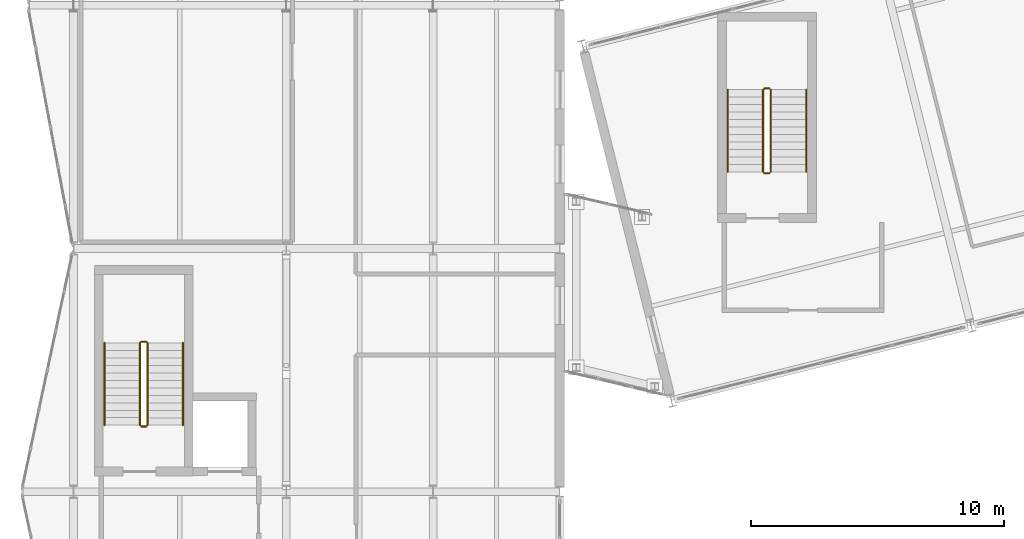
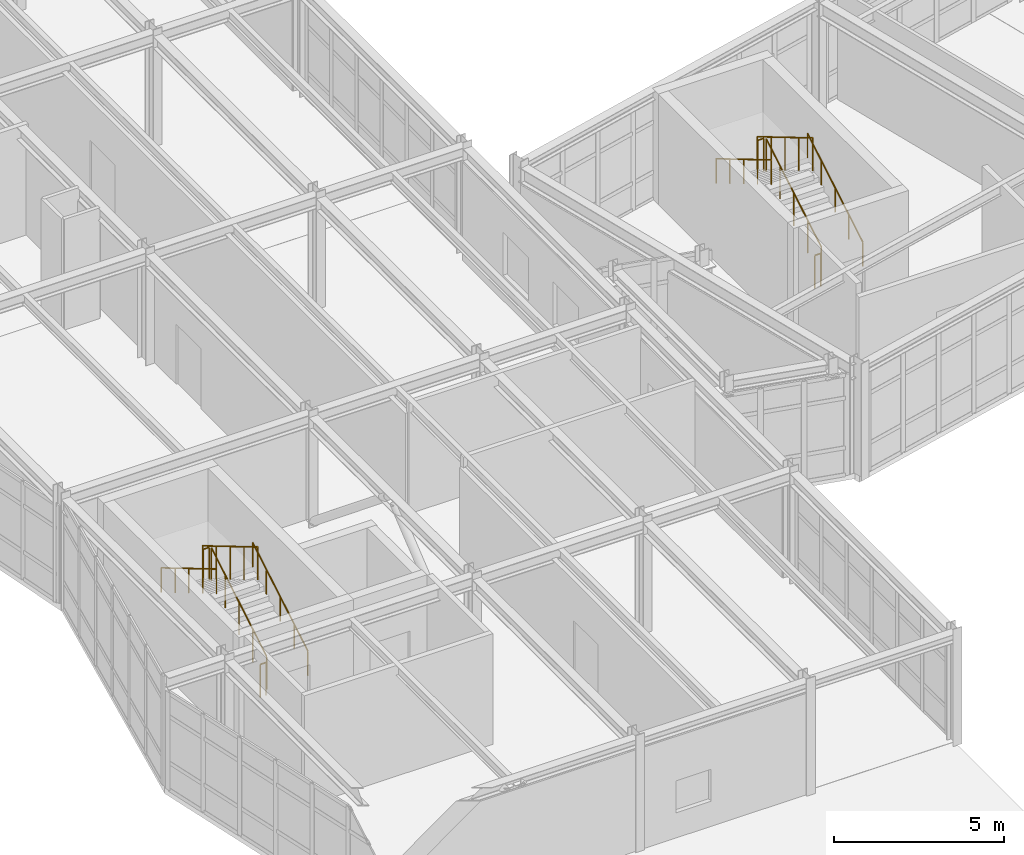
# One storey, part 81 of 88: 12 railings.
"""IFC4 building model written with IfcOpenShell, lengths in metres."""

from ifc_helpers import new_model, si_unit, direction, frame, origin, origin_2d, place, context, subcontext, project, spatial, circle, extrude, material, layer, layer_set, type_object, element, save


model = new_model("IFC4")

# Units and contexts
model_context = context("Model", 3, precision=1e-05, world=origin(), true_north=direction((0.0, 1.0)))
body_context = subcontext(model_context, "Body", "Model", "MODEL_VIEW")
ifc_project = project(units=[si_unit("LENGTHUNIT", "METRE"), si_unit("AREAUNIT", "SQUARE_METRE"), si_unit("VOLUMEUNIT", "CUBIC_METRE"), si_unit("PLANEANGLEUNIT", "RADIAN"), si_unit("MASSUNIT", "GRAM", prefix="KILO")], contexts=[model_context])

# Site, building, storey
site_placement = place(None, origin())
site = spatial("IfcSite", under=ifc_project, at=site_placement, CompositionType="ELEMENT")
building_placement = place(site_placement, origin())
building = spatial("IfcBuilding", under=site, at=building_placement, Name="Nordkorset Police Headquarters", CompositionType="ELEMENT")
storey_placement = place(building_placement, frame((0.0, 0.0, 9.449951171875)))
storey = spatial("IfcBuildingStorey", under=building, at=storey_placement, Name="L02", CompositionType="ELEMENT", Elevation=9.449951171875)

# Railings
ifc_material_1 = material(Name="Steel S355J2", Category="steel")
ifc_layer_1 = layer(ifc_material_1, 0.048095703125, Name="Steel S355J2")
ifc_layer_set_1 = layer_set([ifc_layer_1], Name="Steel S355J2")
railing_type_1 = type_object("IfcRailingType", Name="Railing_Handrail_900", PredefinedType="HANDRAIL", material=ifc_layer_set_1)
railing_1_placement = place(storey_placement, frame((4.324951171875, 41.02490234375, 0.175048828125)))
element("IfcRailing", 1, at=railing_1_placement, inside=storey, type_object=railing_type_1, Name="L02 ST-04 stair handrail 1", PredefinedType="HANDRAIL", context=body_context, shape_type="SweptSolid", body=[
    extrude(circle(Radius=0.02392578125, at=origin_2d()), frame((0.0, 0.0, 0.8759765625), z_axis=(0.0, 0.860057060016, 0.510197857224), x_axis=(-1.0, 0.0, 0.0)), (0.0, 0.0, 1.0), 3.773193359375),
    extrude(circle(Radius=0.02099609375, at=origin_2d()), origin(), (0.0, 0.0, 1.0), 0.851806640625),
    extrude(circle(Radius=0.02099609375, at=origin_2d()), frame((0.0, 0.811279296875, 0.481201171875)), (0.0, 0.0, 1.0), 0.851806640625),
    extrude(circle(Radius=0.02099609375, at=origin_2d()), frame((0.0, 1.62255859375, 0.96240234375)), (0.0, 0.0, 1.0), 0.851806640625),
    extrude(circle(Radius=0.02099609375, at=origin_2d()), frame((0.0, 2.433837890625, 1.44384765625)), (0.0, 0.0, 1.0), 0.851806640625),
    extrude(circle(Radius=0.02099609375, at=origin_2d()), frame((0.0, 3.2451171875, 1.925048828125)), (0.0, 0.0, 1.0), 0.851806640625),
])
railing_2_placement = place(storey_placement, frame((1.22509765625, 44.27001953125, 2.275146484375)))
element("IfcRailing", 2, at=railing_2_placement, inside=storey, type_object=railing_type_1, Name="L02 ST-04 stair handrail 2", PredefinedType="HANDRAIL", context=body_context, shape_type="SweptSolid", body=[
    extrude(circle(Radius=0.02392578125, at=origin_2d()), frame((0.0, 0.0, 0.8759765625), z_axis=(0.0, -0.860085452069, 0.510149992786), x_axis=(1.0, 0.0, 0.0)), (0.0, 0.0, 1.0), 3.77294921875),
    extrude(circle(Radius=0.02099609375, at=origin_2d()), origin(), (0.0, 0.0, 1.0), 0.851806640625),
    extrude(circle(Radius=0.02099609375, at=origin_2d()), frame((0.0, -0.811279296875, 0.481201171875)), (0.0, 0.0, 1.0), 0.851806640625),
    extrude(circle(Radius=0.02099609375, at=origin_2d()), frame((0.0, -1.62255859375, 0.96240234375)), (0.0, 0.0, 1.0), 0.851806640625),
    extrude(circle(Radius=0.02099609375, at=origin_2d()), frame((0.0, -2.433837890625, 1.443603515625)), (0.0, 0.0, 1.0), 0.851806640625),
    extrude(circle(Radius=0.02099609375, at=origin_2d()), frame((0.0, -3.2451171875, 1.9248046875)), (0.0, 0.0, 1.0), 0.851806640625),
])
railing_3_placement = place(storey_placement, frame((28.925048828125, 51.02490234375, 0.175048828125)))
element("IfcRailing", 3, at=railing_3_placement, inside=storey, type_object=railing_type_1, Name="L02 ST-08 stair handrail 1", PredefinedType="HANDRAIL", context=body_context, shape_type="SweptSolid", body=[
    extrude(circle(Radius=0.02392578125, at=origin_2d()), frame((0.0, 0.0, 0.8759765625), z_axis=(0.0, 0.860057060016, 0.510197857224), x_axis=(-1.0, 0.0, 0.0)), (0.0, 0.0, 1.0), 3.773193359375),
    extrude(circle(Radius=0.02099609375, at=origin_2d()), origin(), (0.0, 0.0, 1.0), 0.851806640625),
    extrude(circle(Radius=0.02099609375, at=origin_2d()), frame((0.0, 0.811279296875, 0.481201171875)), (0.0, 0.0, 1.0), 0.851806640625),
    extrude(circle(Radius=0.02099609375, at=origin_2d()), frame((0.0, 1.62255859375, 0.96240234375)), (0.0, 0.0, 1.0), 0.851806640625),
    extrude(circle(Radius=0.02099609375, at=origin_2d()), frame((0.0, 2.433837890625, 1.44384765625)), (0.0, 0.0, 1.0), 0.851806640625),
    extrude(circle(Radius=0.02099609375, at=origin_2d()), frame((0.0, 3.2451171875, 1.925048828125)), (0.0, 0.0, 1.0), 0.851806640625),
])
railing_4_placement = place(storey_placement, frame((25.824951171875, 54.27001953125, 2.275146484375)))
element("IfcRailing", 4, at=railing_4_placement, inside=storey, type_object=railing_type_1, Name="L02 ST-08 stair handrail 2", PredefinedType="HANDRAIL", context=body_context, shape_type="SweptSolid", body=[
    extrude(circle(Radius=0.02392578125, at=origin_2d()), frame((0.0, 0.0, 0.8759765625), z_axis=(0.0, -0.860085452069, 0.510149992786), x_axis=(1.0, 0.0, 0.0)), (0.0, 0.0, 1.0), 3.77294921875),
    extrude(circle(Radius=0.02099609375, at=origin_2d()), origin(), (0.0, 0.0, 1.0), 0.851806640625),
    extrude(circle(Radius=0.02099609375, at=origin_2d()), frame((0.0, -0.811279296875, 0.481201171875)), (0.0, 0.0, 1.0), 0.851806640625),
    extrude(circle(Radius=0.02099609375, at=origin_2d()), frame((0.0, -1.62255859375, 0.96240234375)), (0.0, 0.0, 1.0), 0.851806640625),
    extrude(circle(Radius=0.02099609375, at=origin_2d()), frame((0.0, -2.433837890625, 1.443603515625)), (0.0, 0.0, 1.0), 0.851806640625),
    extrude(circle(Radius=0.02099609375, at=origin_2d()), frame((0.0, -3.2451171875, 1.9248046875)), (0.0, 0.0, 1.0), 0.851806640625),
])
ifc_material_2 = material(Name="Steel S355J2", Category="steel")
ifc_layer_2 = layer(ifc_material_2, 0.050048828125, Name="Steel S355J2")
ifc_layer_set_2 = layer_set([ifc_layer_2], Name="Steel S355J2")
railing_type_2 = type_object("IfcRailingType", Name="Railing_StairGuard_1200", PredefinedType="GUARDRAIL", material=ifc_layer_set_2)
railing_5_placement = place(storey_placement, frame((2.925048828125, 41.02490234375, 0.175048828125)))
element("IfcRailing", 5, at=railing_5_placement, inside=storey, type_object=railing_type_2, Name="L02 ST-04 stair guard 1", PredefinedType="GUARDRAIL", context=body_context, shape_type="SweptSolid", body=[
    extrude(circle(Radius=0.02392578125, at=origin_2d()), frame((0.0, 0.0, 1.17578125), z_axis=(0.0, 0.860057060016, 0.510197857224), x_axis=(-1.0, 0.0, 0.0)), (0.0, 0.0, 1.0), 3.773193359375),
    extrude(circle(Radius=0.02099609375, at=origin_2d()), origin(), (0.0, 0.0, 1.0), 1.15185546875),
    extrude(circle(Radius=0.02099609375, at=origin_2d()), frame((0.0, 0.811279296875, 0.481201171875)), (0.0, 0.0, 1.0), 1.15185546875),
    extrude(circle(Radius=0.02099609375, at=origin_2d()), frame((0.0, 1.62255859375, 0.96240234375)), (0.0, 0.0, 1.0), 1.15185546875),
    extrude(circle(Radius=0.02099609375, at=origin_2d()), frame((0.0, 2.433837890625, 1.44384765625)), (0.0, 0.0, 1.0), 1.15185546875),
    extrude(circle(Radius=0.02099609375, at=origin_2d()), frame((0.0, 3.2451171875, 1.925048828125)), (0.0, 0.0, 1.0), 1.15185546875),
])
railing_6_placement = place(storey_placement, frame((2.875, 44.320068359375, 2.10009765625)))
element("IfcRailing", 6, at=railing_6_placement, inside=storey, type_object=railing_type_2, Name="L02 ST-04 stair guard 2", PredefinedType="GUARDRAIL", context=body_context, shape_type="SweptSolid", body=[
    extrude(circle(Radius=0.02392578125, at=origin_2d()), frame((0.0, 0.0, 1.17578125), z_axis=(-1.0, 0.0, 0.0), x_axis=(0.0, -1.0, 0.0)), (0.0, 0.0, 1.0), 0.199951171875),
    extrude(circle(Radius=0.02099609375, at=origin_2d()), origin(), (0.0, 0.0, 1.0), 1.15185546875),
    extrude(circle(Radius=0.02099609375, at=origin_2d()), frame((-0.199951171875, 0.0, 0.0)), (0.0, 0.0, 1.0), 1.15185546875),
])
railing_7_placement = place(storey_placement, frame((2.625, 44.27001953125, 2.275146484375)))
element("IfcRailing", 7, at=railing_7_placement, inside=storey, type_object=railing_type_2, Name="L02 ST-04 stair guard 3", PredefinedType="GUARDRAIL", context=body_context, shape_type="SweptSolid", body=[
    extrude(circle(Radius=0.02392578125, at=origin_2d()), frame((0.0, 0.0, 1.17578125), z_axis=(0.0, -0.860085452069, 0.510149992786), x_axis=(1.0, 0.0, 0.0)), (0.0, 0.0, 1.0), 3.77294921875),
    extrude(circle(Radius=0.02099609375, at=origin_2d()), origin(), (0.0, 0.0, 1.0), 1.15185546875),
    extrude(circle(Radius=0.02099609375, at=origin_2d()), frame((0.0, -0.811279296875, 0.481201171875)), (0.0, 0.0, 1.0), 1.15185546875),
    extrude(circle(Radius=0.02099609375, at=origin_2d()), frame((0.0, -1.62255859375, 0.96240234375)), (0.0, 0.0, 1.0), 1.15185546875),
    extrude(circle(Radius=0.02099609375, at=origin_2d()), frame((0.0, -2.433837890625, 1.443603515625)), (0.0, 0.0, 1.0), 1.15185546875),
    extrude(circle(Radius=0.02099609375, at=origin_2d()), frame((0.0, -3.2451171875, 1.9248046875)), (0.0, 0.0, 1.0), 1.15185546875),
])
railing_8_placement = place(storey_placement, frame((2.875, 40.97509765625, 0.0)))
element("IfcRailing", 8, at=railing_8_placement, inside=storey, type_object=railing_type_2, Name="L02 ST-04 stair guard 4", PredefinedType="GUARDRAIL", context=body_context, shape_type="SweptSolid", body=[
    extrude(circle(Radius=0.02392578125, at=origin_2d()), frame((0.0, 0.0, 1.17578125), z_axis=(-1.0, 0.0, 0.0), x_axis=(0.0, -1.0, 0.0)), (0.0, 0.0, 1.0), 0.199951171875),
    extrude(circle(Radius=0.02099609375, at=origin_2d()), origin(), (0.0, 0.0, 1.0), 1.15185546875),
    extrude(circle(Radius=0.02099609375, at=origin_2d()), frame((-0.199951171875, 0.0, 0.0)), (0.0, 0.0, 1.0), 1.15185546875),
])
railing_9_placement = place(storey_placement, frame((27.52490234375, 51.02490234375, 0.175048828125)))
element("IfcRailing", 9, at=railing_9_placement, inside=storey, type_object=railing_type_2, Name="L02 ST-08 stair guard 1", PredefinedType="GUARDRAIL", context=body_context, shape_type="SweptSolid", body=[
    extrude(circle(Radius=0.02392578125, at=origin_2d()), frame((0.0, 0.0, 1.17578125), z_axis=(0.0, 0.860057060016, 0.510197857224), x_axis=(-1.0, 0.0, 0.0)), (0.0, 0.0, 1.0), 3.773193359375),
    extrude(circle(Radius=0.02099609375, at=origin_2d()), origin(), (0.0, 0.0, 1.0), 1.15185546875),
    extrude(circle(Radius=0.02099609375, at=origin_2d()), frame((0.0, 0.811279296875, 0.481201171875)), (0.0, 0.0, 1.0), 1.15185546875),
    extrude(circle(Radius=0.02099609375, at=origin_2d()), frame((0.0, 1.62255859375, 0.96240234375)), (0.0, 0.0, 1.0), 1.15185546875),
    extrude(circle(Radius=0.02099609375, at=origin_2d()), frame((0.0, 2.433837890625, 1.44384765625)), (0.0, 0.0, 1.0), 1.15185546875),
    extrude(circle(Radius=0.02099609375, at=origin_2d()), frame((0.0, 3.2451171875, 1.925048828125)), (0.0, 0.0, 1.0), 1.15185546875),
])
railing_10_placement = place(storey_placement, frame((27.47509765625, 54.320068359375, 2.10009765625)))
element("IfcRailing", 10, at=railing_10_placement, inside=storey, type_object=railing_type_2, Name="L02 ST-08 stair guard 2", PredefinedType="GUARDRAIL", context=body_context, shape_type="SweptSolid", body=[
    extrude(circle(Radius=0.02392578125, at=origin_2d()), frame((0.0, 0.0, 1.17578125), z_axis=(-1.0, 0.0, 0.0), x_axis=(0.0, -1.0, 0.0)), (0.0, 0.0, 1.0), 0.2001953125),
    extrude(circle(Radius=0.02099609375, at=origin_2d()), origin(), (0.0, 0.0, 1.0), 1.15185546875),
    extrude(circle(Radius=0.02099609375, at=origin_2d()), frame((-0.2001953125, 0.0, 0.0)), (0.0, 0.0, 1.0), 1.15185546875),
])
railing_11_placement = place(storey_placement, frame((27.22509765625, 54.27001953125, 2.275146484375)))
element("IfcRailing", 11, at=railing_11_placement, inside=storey, type_object=railing_type_2, Name="L02 ST-08 stair guard 3", PredefinedType="GUARDRAIL", context=body_context, shape_type="SweptSolid", body=[
    extrude(circle(Radius=0.02392578125, at=origin_2d()), frame((0.0, 0.0, 1.17578125), z_axis=(0.0, -0.860085452069, 0.510149992786), x_axis=(1.0, 0.0, 0.0)), (0.0, 0.0, 1.0), 3.77294921875),
    extrude(circle(Radius=0.02099609375, at=origin_2d()), origin(), (0.0, 0.0, 1.0), 1.15185546875),
    extrude(circle(Radius=0.02099609375, at=origin_2d()), frame((0.0, -0.811279296875, 0.481201171875)), (0.0, 0.0, 1.0), 1.15185546875),
    extrude(circle(Radius=0.02099609375, at=origin_2d()), frame((0.0, -1.62255859375, 0.96240234375)), (0.0, 0.0, 1.0), 1.15185546875),
    extrude(circle(Radius=0.02099609375, at=origin_2d()), frame((0.0, -2.433837890625, 1.443603515625)), (0.0, 0.0, 1.0), 1.15185546875),
    extrude(circle(Radius=0.02099609375, at=origin_2d()), frame((0.0, -3.2451171875, 1.9248046875)), (0.0, 0.0, 1.0), 1.15185546875),
])
railing_12_placement = place(storey_placement, frame((27.47509765625, 50.97509765625, 0.0)))
element("IfcRailing", 12, at=railing_12_placement, inside=storey, type_object=railing_type_2, Name="L02 ST-08 stair guard 4", PredefinedType="GUARDRAIL", context=body_context, shape_type="SweptSolid", body=[
    extrude(circle(Radius=0.02392578125, at=origin_2d()), frame((0.0, 0.0, 1.17578125), z_axis=(-1.0, 0.0, 0.0), x_axis=(0.0, -1.0, 0.0)), (0.0, 0.0, 1.0), 0.2001953125),
    extrude(circle(Radius=0.02099609375, at=origin_2d()), origin(), (0.0, 0.0, 1.0), 1.15185546875),
    extrude(circle(Radius=0.02099609375, at=origin_2d()), frame((-0.2001953125, 0.0, 0.0)), (0.0, 0.0, 1.0), 1.15185546875),
])

save(model, "model.ifc")
